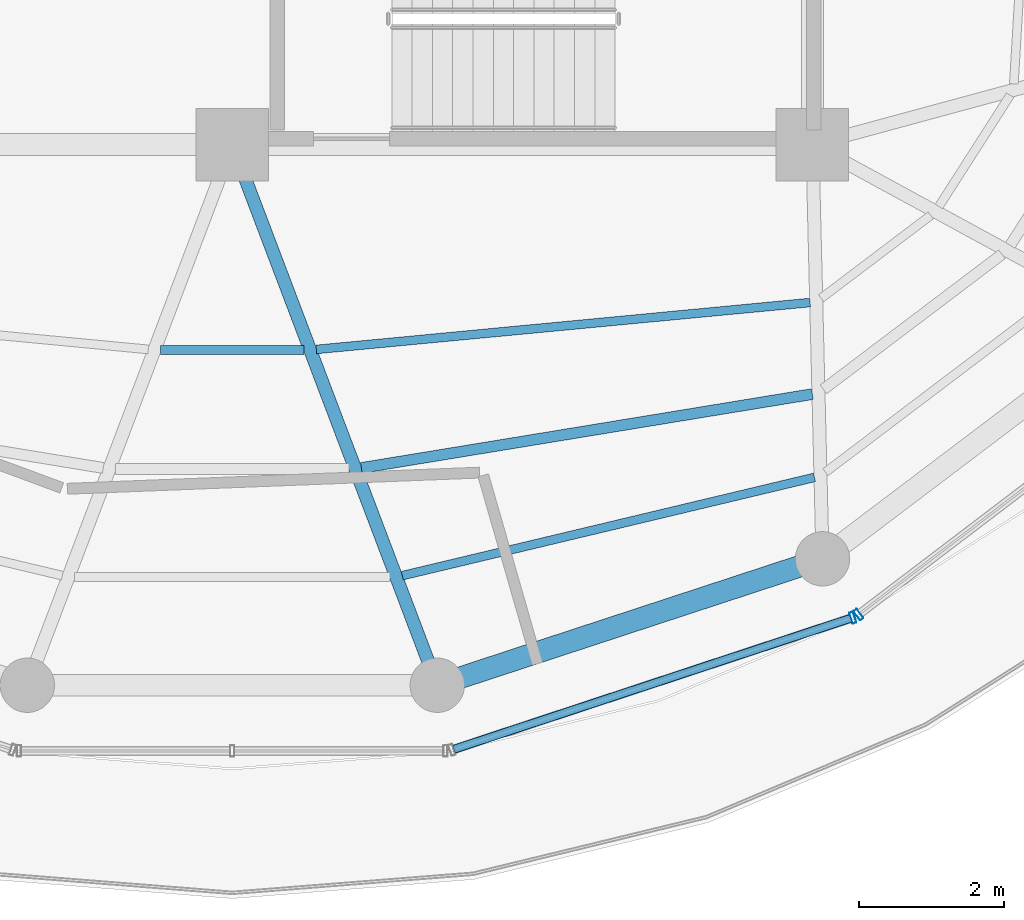
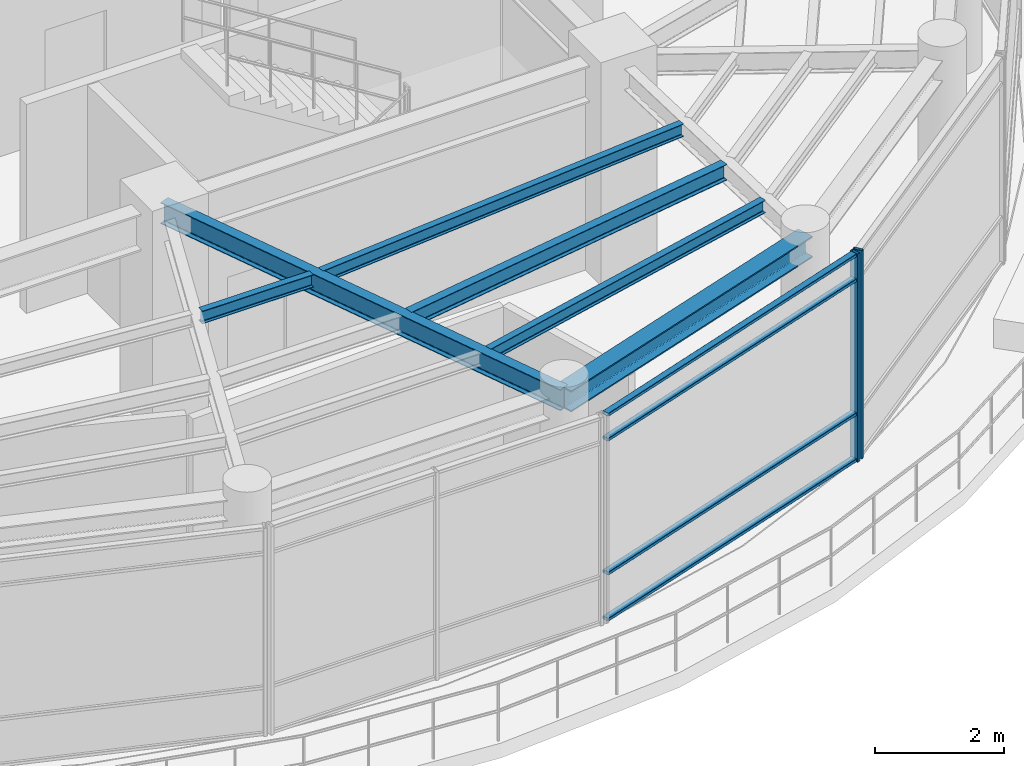
# One storey, part 6 of 20: 6 beams, 6 members, 2 elements without a shape of their own.
"""IFC4 building model written with IfcOpenShell, lengths in metres."""

import ifcopenshell
import ifcopenshell.guid

model = None  # the IFC model being written
_history = None  # IfcOwnerHistory: only IFC2X3 demands one
_inside = {}  # id of a spatial element -> (the spatial element, [elements in it])
_under = {}  # id of a project, library or spatial element -> (it, [spatial elements below it])
_declared = {}  # id of a project -> (the project, [libraries it declares])
_typed = {}  # id of a type object -> (the type object, [elements of that type])
_made_of = {}  # id of a material, layer set ... -> (it, [elements and type objects made of it])


def new_model(schema):
    """Start an empty IFC model of exactly this schema.

    Asked for "IFC4X3", IfcOpenShell would pick the latest addendum, in which some entities
    have other attributes; the version numbers below select the first issue.
    IFC2X3 requires an IfcOwnerHistory on every rooted entity: one is made here for all.
    """
    global model, _history
    if schema == "IFC4X3":
        model = ifcopenshell.file(schema_version=(4, 3, 0, 0))
    else:
        model = ifcopenshell.file(schema=schema)
    _inside.clear()
    _under.clear()
    _declared.clear()
    _typed.clear()
    _made_of.clear()
    _history = None
    if model.schema == "IFC2X3":
        org = make("IfcOrganization", Name="unknown")
        user = make(
            "IfcPersonAndOrganization",
            ThePerson=make("IfcPerson", FamilyName="unknown"),
            TheOrganization=org,
        )
        app = make(
            "IfcApplication",
            ApplicationDeveloper=org,
            Version="unknown",
            ApplicationFullName="unknown",
            ApplicationIdentifier="unknown",
        )
        _history = make(
            "IfcOwnerHistory",
            OwningUser=user,
            OwningApplication=app,
            ChangeAction="ADDED",
            CreationDate=0,
        )
    return model


def make(cls, **values):
    """One entity of the class cls with the attributes given. An attribute that is None is left unset."""
    return model.create_entity(
        cls, **{name: value for name, value in values.items() if value is not None}
    )


def rooted(cls, **values):
    """An entity with a GlobalId (a new one), such as an element, a storey or a relation."""
    return make(cls, GlobalId=ifcopenshell.guid.new(), OwnerHistory=_history, **values)


def si_unit(unit_type, name, prefix=None):
    """IfcSIUnit, for example si_unit("LENGTHUNIT", "METRE", prefix="MILLI")."""
    return make("IfcSIUnit", UnitType=unit_type, Prefix=prefix, Name=name)


def assignment(units):
    """IfcUnitAssignment: the units of a project."""
    return None if units is None else make("IfcUnitAssignment", Units=units)


def point(xyz):
    """IfcCartesianPoint."""
    return None if xyz is None else make("IfcCartesianPoint", Coordinates=xyz)


def direction(xyz):
    """IfcDirection."""
    return None if xyz is None else make("IfcDirection", DirectionRatios=xyz)


def frame(location, z_axis=None, x_axis=None):
    """IfcAxis2Placement3D, a coordinate frame: its origin and axes. An axis left out is left unset."""
    return make(
        "IfcAxis2Placement3D",
        Location=point(location),
        Axis=direction(z_axis),
        RefDirection=direction(x_axis),
    )


def frame_2d(location, x_axis=None):
    """IfcAxis2Placement2D, a coordinate frame in the plane: its origin and x axis."""
    return make(
        "IfcAxis2Placement2D", Location=point(location), RefDirection=direction(x_axis)
    )


def origin():
    """The frame at (0, 0, 0) with its axes left unset."""
    return frame((0.0, 0.0, 0.0))


def origin_2d():
    """The frame at (0, 0) in the plane with its x axis left unset."""
    return frame_2d((0.0, 0.0))


def place(relative_to, where):
    """IfcLocalPlacement: puts the frame where relative to a parent placement (None: the world)."""
    return make(
        "IfcLocalPlacement", PlacementRelTo=relative_to, RelativePlacement=where
    )


def context(
    kind, dimensions, precision=None, world=None, true_north=None, identifier=None
):
    """IfcGeometricRepresentationContext, for example the 3D "Model" context."""
    return make(
        "IfcGeometricRepresentationContext",
        ContextIdentifier=identifier,
        ContextType=kind,
        CoordinateSpaceDimension=dimensions,
        Precision=precision,
        WorldCoordinateSystem=world,
        TrueNorth=true_north,
    )


def subcontext(parent, identifier, kind, view, scale=None):
    """IfcGeometricRepresentationSubContext, for example "Body" below "Model"."""
    return make(
        "IfcGeometricRepresentationSubContext",
        ContextIdentifier=identifier,
        ContextType=kind,
        ParentContext=parent,
        TargetScale=scale,
        TargetView=view,
    )


def project(units=None, contexts=None):
    """IfcProject with its units and contexts."""
    return rooted(
        "IfcProject",
        Name="project",
        RepresentationContexts=contexts,
        UnitsInContext=assignment(units),
    )


def spatial(cls, under=None, at=None, **own):
    """A site, building, storey or space (cls), placed at a placement, below another one or the project."""
    s = rooted(cls, ObjectPlacement=at, **own)
    if under is not None:
        _under.setdefault(under.id(), (under, []))[1].append(s)
    return s


def profile(cls, at=None, kind="AREA", **sizes):
    """A parametric profile (cls). Its sizes go by their IFC names, for example OverallWidth=200.0."""
    return make(cls, ProfileType=kind, Position=at, **sizes)


def hollow_rectangle(**sizes):
    """IfcRectangleHollowProfileDef."""
    return profile("IfcRectangleHollowProfileDef", **sizes)


def i_section(**sizes):
    """IfcIShapeProfileDef."""
    return profile("IfcIShapeProfileDef", **sizes)


def extrude(swept, where, along, depth):
    """IfcExtrudedAreaSolid: the profile swept, set in the frame where, extruded along a direction by depth."""
    return make(
        "IfcExtrudedAreaSolid",
        SweptArea=swept,
        Position=where,
        ExtrudedDirection=direction(along),
        Depth=depth,
    )


def shape(context_of_items, identifier, shape_type, items):
    """IfcShapeRepresentation: the items that make up one representation, for example the "Body"."""
    return make(
        "IfcShapeRepresentation",
        ContextOfItems=context_of_items,
        RepresentationIdentifier=identifier,
        RepresentationType=shape_type,
        Items=items,
    )


def material(Name=None, Category=None):
    """IfcMaterial."""
    return make("IfcMaterial", Name=Name, Category=Category)


def layer(
    of_material, thickness, ventilated=None, Name=None, Category=None, Priority=None
):
    """IfcMaterialLayer: one layer of a wall or slab, of a material (None: an air gap)."""
    return make(
        "IfcMaterialLayer",
        Material=of_material,
        LayerThickness=thickness,
        IsVentilated=ventilated,
        Name=Name,
        Category=Category,
        Priority=Priority,
    )


def layer_set(layers, Name=None):
    """IfcMaterialLayerSet."""
    return make("IfcMaterialLayerSet", MaterialLayers=layers, LayerSetName=Name)


def material_profile(
    of_material, cross_section, Name=None, Category=None, Priority=None
):
    """IfcMaterialProfile: a cross section and its material."""
    return make(
        "IfcMaterialProfile",
        Name=Name,
        Material=of_material,
        Profile=cross_section,
        Priority=Priority,
        Category=Category,
    )


def profile_set(profiles, Name=None, composite=None):
    """IfcMaterialProfileSet."""
    return make(
        "IfcMaterialProfileSet",
        Name=Name,
        MaterialProfiles=profiles,
        CompositeProfile=composite,
    )


def made_of(thing, what):
    """Note that an element or type object is made of a material, layer set ...; save() writes the relation."""
    if what is not None:
        _made_of.setdefault(what.id(), (what, []))[1].append(thing)
    return thing


def type_object(cls, material=None, **own):
    """A type object (cls), such as IfcWallType, which elements share."""
    return made_of(rooted(cls, **own), material)


def element(
    cls,
    number,
    at=None,
    inside=None,
    cuts=None,
    type_object=None,
    material=None,
    context=None,
    identifier="Body",
    shape_type=None,
    held_by="IfcProductDefinitionShape",
    body=None,
    shapes=None,
    **own,
):
    """One element of the class cls, such as IfcWall. Its Tag is "e" and its number.

    at: its placement. inside: the storey or other place that contains it. cuts: it is an
    opening in that element (IfcRelVoidsElement). A single representation is given by context,
    identifier, shape_type and body (its items); several are given by shapes. held_by: the class
    of the entity that holds the representations. save() writes the other relations.
    """
    e = rooted(cls, Tag="e%d" % number, ObjectPlacement=at, **own)
    if body is not None:
        shapes = [shape(context, identifier, shape_type, body)]
    if shapes is not None:
        e.Representation = make(held_by, Representations=shapes)
    if inside is not None:
        _inside.setdefault(inside.id(), (inside, []))[1].append(e)
    if cuts is not None:
        rooted(
            "IfcRelVoidsElement", RelatingBuildingElement=cuts, RelatedOpeningElement=e
        )
    if type_object is not None:
        _typed.setdefault(type_object.id(), (type_object, []))[1].append(e)
    return made_of(e, material)


def aggregate(whole, parts):
    """IfcRelAggregates: a whole, such as a stair, and the parts it consists of."""
    return rooted("IfcRelAggregates", RelatingObject=whole, RelatedObjects=parts)


def save(model, path):
    """Write the relations noted so far, then the file.

    IfcRelAggregates (storeys below a building ...), IfcRelContainedInSpatialStructure (elements
    in a storey), IfcRelDefinesByType, IfcRelAssociatesMaterial and IfcRelDeclares: one each for
    every whole, place, type object, material and project.
    """
    for whole, parts in _under.values():
        aggregate(whole, parts)
    for where, things in _inside.values():
        rooted(
            "IfcRelContainedInSpatialStructure",
            RelatedElements=things,
            RelatingStructure=where,
        )
    for kind, things in _typed.values():
        rooted("IfcRelDefinesByType", RelatedObjects=things, RelatingType=kind)
    for what, things in _made_of.values():
        rooted("IfcRelAssociatesMaterial", RelatedObjects=things, RelatingMaterial=what)
    for by, libraries in _declared.values():
        rooted("IfcRelDeclares", RelatingContext=by, RelatedDefinitions=libraries)
    model.write(path)


model = new_model("IFC4")

# Units and contexts
model_context = context("Model", 3, precision=1e-05, world=origin(), true_north=direction((0.0, 1.0)))
body_context = subcontext(model_context, "Body", "Model", "MODEL_VIEW")
ifc_project = project(units=[si_unit("LENGTHUNIT", "METRE"), si_unit("AREAUNIT", "SQUARE_METRE"), si_unit("VOLUMEUNIT", "CUBIC_METRE"), si_unit("PLANEANGLEUNIT", "RADIAN"), si_unit("MASSUNIT", "GRAM", prefix="KILO")], contexts=[model_context])

# Site, building, storey
site_placement = place(None, origin())
site = spatial("IfcSite", under=ifc_project, at=site_placement, CompositionType="ELEMENT")
building_placement = place(site_placement, origin())
building = spatial("IfcBuilding", under=site, at=building_placement, Name="Kelanora Arch Commons", CompositionType="ELEMENT")
storey_placement = place(building_placement, frame((0.0, 0.0, 298.5)))
storey = spatial("IfcBuildingStorey", under=building, at=storey_placement, Name="L76", CompositionType="ELEMENT", Elevation=298.5)

# Beams
ifc_material_1 = material(Name="Steel S355", Category="steel")
ifc_material_profile_1 = material_profile(ifc_material_1, i_section(OverallWidth=0.14990234375, OverallDepth=0.300048828125, WebThickness=0.007080078125, FlangeThickness=0.0107421875, FilletRadius=0.014892578125, at=origin_2d()), Name="IPE300")
ifc_profile_set_1 = profile_set([ifc_material_profile_1], Name="Steel S355")
beam_type_1 = type_object("IfcBeamType", Name="BM-JST-01", PredefinedType="JOIST", material=ifc_profile_set_1)
beam_1_placement = place(storey_placement, frame((75.780029296875, 46.53955078125, 3.7900390625), z_axis=(0.986849654094, 0.16164083709, 0.0), x_axis=(-0.16164083709, 0.986849654094, 0.0)))
element("IfcBeam", 1, at=beam_1_placement, inside=storey, type_object=beam_type_1, Name="Secondary Chord Joist BJB-28 L76", PredefinedType="JOIST", context=body_context, shape_type="SweptSolid", body=[
    extrude(i_section(OverallWidth=0.14990234375, OverallDepth=0.300048828125, WebThickness=0.007080078125, FlangeThickness=0.0107421875, FilletRadius=0.014892578125, at=origin_2d()), origin(), (0.0, 0.0, 1.0), 6.302734375),
])
ifc_material_profile_2 = material_profile(ifc_material_1, i_section(OverallWidth=0.1201171875, OverallDepth=0.239990234375, WebThickness=0.006103515625, FlangeThickness=0.009765625, FilletRadius=0.014892578125, at=origin_2d()), Name="IPE240")
ifc_profile_set_2 = profile_set([ifc_material_profile_2], Name="Steel S355")
beam_type_2 = type_object("IfcBeamType", Name="BM-JST-02", PredefinedType="JOIST", material=ifc_profile_set_2)
beam_2_placement = place(storey_placement, frame((73.0107421875, 48.166259765625, 3.820068359375), z_axis=(1.0, 0.0, 0.0), x_axis=(0.0, 1.0, 0.0)))
element("IfcBeam", 2, at=beam_2_placement, inside=storey, type_object=beam_type_2, Name="Secondary Chord Joist BJA-26 L76", PredefinedType="JOIST", context=body_context, shape_type="SweptSolid", body=[
    extrude(i_section(OverallWidth=0.1201171875, OverallDepth=0.239990234375, WebThickness=0.006103515625, FlangeThickness=0.009765625, FilletRadius=0.014892578125, at=origin_2d()), origin(), (0.0, 0.0, 1.0), 1.978515625),
])
beam_3_placement = place(storey_placement, frame((75.158935546875, 48.17431640625, 3.820068359375), z_axis=(0.995523661296, 0.094512643594, 0.0), x_axis=(-0.094512643594, 0.995523661296, 0.0)))
element("IfcBeam", 3, at=beam_3_placement, inside=storey, type_object=beam_type_2, Name="Secondary Chord Joist BJA-28 L76", PredefinedType="JOIST", context=body_context, shape_type="SweptSolid", body=[
    extrude(i_section(OverallWidth=0.1201171875, OverallDepth=0.239990234375, WebThickness=0.006103515625, FlangeThickness=0.009765625, FilletRadius=0.014892578125, at=origin_2d()), origin(), (0.0, 0.0, 1.0), 6.840087890625),
])
beam_4_placement = place(storey_placement, frame((76.34423828125, 45.05419921875, 3.820068359375), z_axis=(0.972733556605, 0.231925479098, 0.0), x_axis=(-0.231925479098, 0.972733556605, 0.0)))
element("IfcBeam", 4, at=beam_4_placement, inside=storey, type_object=beam_type_2, Name="Secondary Chord Joist BJC-28 L76", PredefinedType="JOIST", context=body_context, shape_type="SweptSolid", body=[
    extrude(i_section(OverallWidth=0.1201171875, OverallDepth=0.239990234375, WebThickness=0.006103515625, FlangeThickness=0.009765625, FilletRadius=0.014892578125, at=origin_2d()), origin(), (0.0, 0.0, 1.0), 5.844482421875),
])
ifc_material_profile_3 = material_profile(ifc_material_1, i_section(OverallWidth=0.179931640625, OverallDepth=0.39990234375, WebThickness=0.008544921875, FlangeThickness=0.013427734375, FilletRadius=0.02099609375, at=origin_2d()), Name="IPE400")
ifc_profile_set_3 = profile_set([ifc_material_profile_3], Name="Steel S355")
beam_type_3 = type_object("IfcBeamType", Name="BM-RAD-Z5", PredefinedType="BEAM", material=ifc_profile_set_3)
beam_5_placement = place(storey_placement, frame((74.0, 51.0, 3.739990234375), z_axis=(0.354476114465, -0.93506506954, 0.0), x_axis=(0.93506506954, 0.354476114465, 0.0)))
element("IfcBeam", 5, at=beam_5_placement, inside=storey, type_object=beam_type_3, Name="Radial Floor Girder BR-28 L76", PredefinedType="BEAM", context=body_context, shape_type="SweptSolid", body=[
    extrude(i_section(OverallWidth=0.179931640625, OverallDepth=0.39990234375, WebThickness=0.008544921875, FlangeThickness=0.013427734375, FilletRadius=0.02099609375, at=origin_2d()), origin(), (0.0, 0.0, 1.0), 7.974853515625),
])
ifc_material_profile_4 = material_profile(ifc_material_1, i_section(OverallWidth=0.300048828125, OverallDepth=0.39990234375, WebThickness=0.013427734375, FlangeThickness=0.02392578125, FilletRadius=0.027099609375, at=origin_2d()), Name="HEB400")
ifc_profile_set_4 = profile_set([ifc_material_profile_4], Name="Steel S355")
beam_type_4 = type_object("IfcBeamType", Name="BM-SPN-Z4", PredefinedType="SPANDREL", material=ifc_profile_set_4)
beam_6_placement = place(storey_placement, frame((76.826904296875, 43.54296875, 3.739990234375), z_axis=(0.950140083071, 0.311823383572, 0.0), x_axis=(-0.311823383572, 0.950140083071, 0.0)))
element("IfcBeam", 6, at=beam_6_placement, inside=storey, type_object=beam_type_4, Name="Perimeter Spandrel Beam BS-28 L76", PredefinedType="SPANDREL", context=body_context, shape_type="SweptSolid", body=[
    extrude(i_section(OverallWidth=0.300048828125, OverallDepth=0.39990234375, WebThickness=0.013427734375, FlangeThickness=0.02392578125, FilletRadius=0.027099609375, at=origin_2d()), origin(), (0.0, 0.0, 1.0), 5.591796875),
])

# Curtain wall, member
ifc_material_2 = material(Name="Terracotta ceramic-fritted low-E glass and aluminium", Category="masonry")
ifc_layer = layer(ifc_material_2, 0.14990234375)
ifc_layer_set = layer_set([ifc_layer], Name="Terracotta ceramic-fritted low-E glass and aluminium")
curtain_wall_type = type_object("IfcCurtainWallType", Name="CW-SYS-06", PredefinedType="NOTDEFINED", material=ifc_layer_set)
curtain_wall_1_placement = place(storey_placement, origin())
curtain_wall_1 = element("IfcCurtainWall", 7, at=curtain_wall_1_placement, inside=storey, type_object=curtain_wall_type, Name="Unitised Curtain Wall L76-B14", PredefinedType="NOTDEFINED")
ifc_material_3 = material(Name="Powder-coated aluminium terracotta", Category="masonry")
ifc_material_profile_5 = material_profile(ifc_material_3, hollow_rectangle(XDim=0.159912109375, YDim=0.06005859375, WallThickness=0.0048828125, InnerFilletRadius=0.0048828125, OuterFilletRadius=0.010009765625, at=origin_2d()), Name="CWM160x60")
ifc_profile_set_5 = profile_set([ifc_material_profile_5], Name="Powder-coated aluminium terracotta")
member_type_1 = type_object("IfcMemberType", Name="CWM-STD", PredefinedType="MULLION", material=ifc_profile_set_5)
member_1_placement = place(storey_placement, frame((82.557373046875, 44.475830078125, 0.0), z_axis=(0.0, 0.0, 1.0), x_axis=(-0.313466845323, 0.949599145368, 0.0)))
member_1 = element("IfcMember", 8, at=member_1_placement, type_object=member_type_1, Name="CW-06 mullion 2", PredefinedType="MULLION", context=body_context, shape_type="SweptSolid", body=[
    extrude(hollow_rectangle(XDim=0.159912109375, YDim=0.06005859375, WallThickness=0.0048828125, InnerFilletRadius=0.0048828125, OuterFilletRadius=0.010009765625, at=origin_2d()), origin(), (0.0, 0.0, 1.0), 3.925048828125),
])

curtain_wall_2_placement = place(storey_placement, origin())
curtain_wall_2 = element("IfcCurtainWall", 9, at=curtain_wall_2_placement, inside=storey, type_object=curtain_wall_type, Name="Unitised Curtain Wall L76-B15", PredefinedType="NOTDEFINED")
member_2_placement = place(storey_placement, frame((82.6357421875, 44.517333984375, 0.0), z_axis=(0.0, 0.0, 1.0), x_axis=(-0.605595960801, 0.795772286688, 0.0)))
member_2 = element("IfcMember", 10, at=member_2_placement, type_object=member_type_1, Name="CW-06 mullion 1", PredefinedType="MULLION", context=body_context, shape_type="SweptSolid", body=[
    extrude(hollow_rectangle(XDim=0.159912109375, YDim=0.06005859375, WallThickness=0.0048828125, InnerFilletRadius=0.0048828125, OuterFilletRadius=0.010009765625, at=origin_2d()), origin(), (0.0, 0.0, 1.0), 3.925048828125),
])
aggregate(curtain_wall_2, [member_2])

# Member
ifc_material_profile_6 = material_profile(ifc_material_3, hollow_rectangle(XDim=0.1201171875, YDim=0.06005859375, WallThickness=0.0048828125, InnerFilletRadius=0.0048828125, OuterFilletRadius=0.010009765625, at=origin_2d()), Name="CWT120x60")
ifc_profile_set_6 = profile_set([ifc_material_profile_6], Name="Powder-coated aluminium terracotta")
member_type_2 = type_object("IfcMemberType", Name="CWT-STD", PredefinedType="USERDEFINED", material=ifc_profile_set_6)
member_3_placement = place(storey_placement, frame((77.057861328125, 42.660400390625, 0.030029296875), z_axis=(0.949590431956, 0.31349324002, 0.0), x_axis=(-0.31349324002, 0.949590431956, 0.0)))
member_3 = element("IfcMember", 11, at=member_3_placement, type_object=member_type_2, Name="CW-06 transom 1.1", ObjectType="TRANSOM", PredefinedType="USERDEFINED", context=body_context, shape_type="SweptSolid", body=[
    extrude(hollow_rectangle(XDim=0.1201171875, YDim=0.06005859375, WallThickness=0.0048828125, InnerFilletRadius=0.0048828125, OuterFilletRadius=0.010009765625, at=origin_2d()), origin(), (0.0, 0.0, 1.0), 5.761474609375),
])

member_4_placement = place(storey_placement, frame((77.057861328125, 42.660400390625, 0.89990234375), z_axis=(0.949590431956, 0.31349324002, 0.0), x_axis=(-0.31349324002, 0.949590431956, 0.0)))
member_4 = element("IfcMember", 12, at=member_4_placement, type_object=member_type_2, Name="CW-06 transom 1.2", ObjectType="TRANSOM", PredefinedType="USERDEFINED", context=body_context, shape_type="SweptSolid", body=[
    extrude(hollow_rectangle(XDim=0.1201171875, YDim=0.06005859375, WallThickness=0.0048828125, InnerFilletRadius=0.0048828125, OuterFilletRadius=0.010009765625, at=origin_2d()), origin(), (0.0, 0.0, 1.0), 5.761474609375),
])

member_5_placement = place(storey_placement, frame((77.057861328125, 42.660400390625, 3.425048828125), z_axis=(0.949590431956, 0.31349324002, 0.0), x_axis=(-0.31349324002, 0.949590431956, 0.0)))
member_5 = element("IfcMember", 13, at=member_5_placement, type_object=member_type_2, Name="CW-06 transom 1.3", ObjectType="TRANSOM", PredefinedType="USERDEFINED", context=body_context, shape_type="SweptSolid", body=[
    extrude(hollow_rectangle(XDim=0.1201171875, YDim=0.06005859375, WallThickness=0.0048828125, InnerFilletRadius=0.0048828125, OuterFilletRadius=0.010009765625, at=origin_2d()), origin(), (0.0, 0.0, 1.0), 5.761474609375),
])

member_6_placement = place(storey_placement, frame((77.057861328125, 42.660400390625, 3.89501953125), z_axis=(0.949590431956, 0.31349324002, 0.0), x_axis=(-0.31349324002, 0.949590431956, 0.0)))
member_6 = element("IfcMember", 14, at=member_6_placement, type_object=member_type_2, Name="CW-06 transom 1.4", ObjectType="TRANSOM", PredefinedType="USERDEFINED", context=body_context, shape_type="SweptSolid", body=[
    extrude(hollow_rectangle(XDim=0.1201171875, YDim=0.06005859375, WallThickness=0.0048828125, InnerFilletRadius=0.0048828125, OuterFilletRadius=0.010009765625, at=origin_2d()), origin(), (0.0, 0.0, 1.0), 5.761474609375),
])

aggregate(curtain_wall_1, [member_1, member_3, member_4, member_5, member_6])

save(model, "model.ifc")
